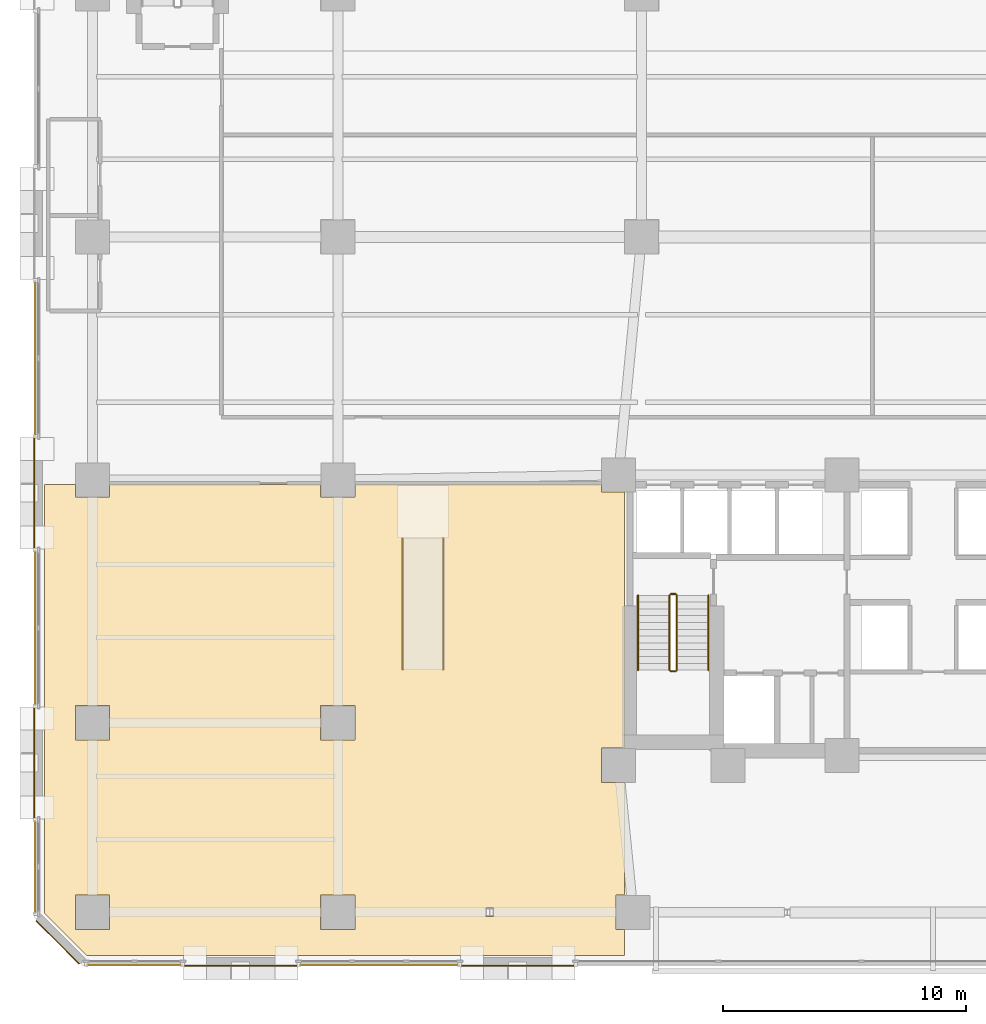
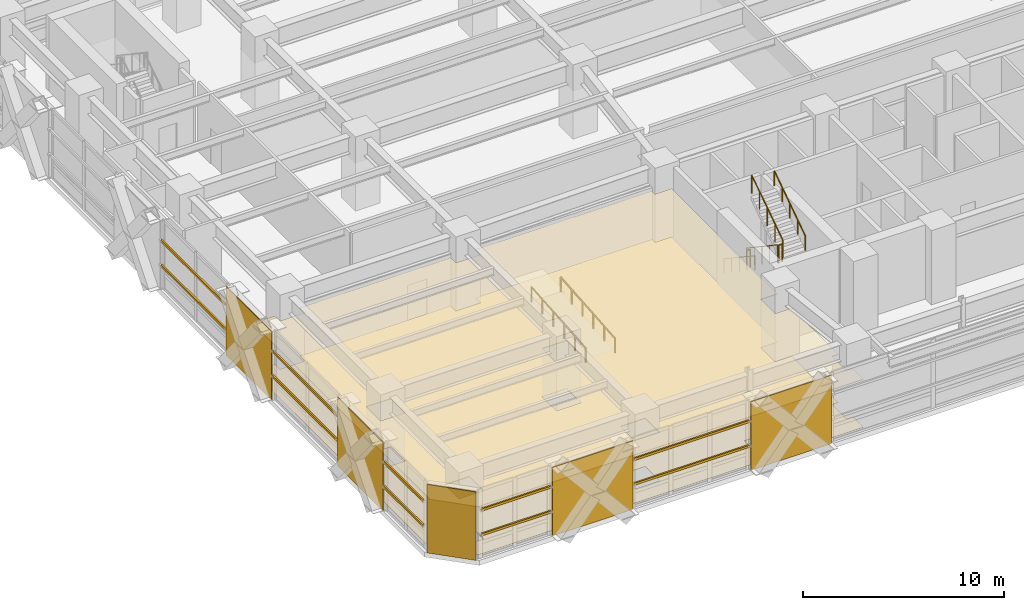
# One storey, part 24 of 30: 10 shading devices, 8 railings, 7 coverings.
"""IFC4 building model written with IfcOpenShell, lengths in metres."""

from ifc_helpers import new_model, si_unit, direction, frame, origin, origin_2d, place, context, subcontext, project, spatial, polyline, rectangle, circle, outline, extrude, material, layer, layer_set, material_profile, profile_set, type_object, element, save


model = new_model("IFC4")

# Units and contexts
model_context = context("Model", 3, precision=1e-05, world=origin(), true_north=direction((0.0, 1.0)))
body_context = subcontext(model_context, "Body", "Model", "MODEL_VIEW")
ifc_project = project(units=[si_unit("LENGTHUNIT", "METRE"), si_unit("AREAUNIT", "SQUARE_METRE"), si_unit("VOLUMEUNIT", "CUBIC_METRE"), si_unit("PLANEANGLEUNIT", "RADIAN"), si_unit("MASSUNIT", "GRAM", prefix="KILO")], contexts=[model_context])

# Site, building, storey
site_placement = place(None, origin())
site = spatial("IfcSite", under=ifc_project, at=site_placement, CompositionType="ELEMENT")
building_placement = place(site_placement, origin())
building = spatial("IfcBuilding", under=site, at=building_placement, Name="Quenlor Broadcast Tower", CompositionType="ELEMENT")
storey_placement = place(building_placement, frame((0.0, 0.0, 9.5)))
storey = spatial("IfcBuildingStorey", under=building, at=storey_placement, Name="L02", CompositionType="ELEMENT", Elevation=9.5)

# Covering
ifc_material_1 = material(Name="Acoustic Gypsum Board", Category="other")
ifc_layer_1 = layer(ifc_material_1, 0.0400390625)
ifc_layer_set_1 = layer_set([ifc_layer_1], Name="Broadcast Studio Spring Isolated Ceiling 40")
covering_type_1 = type_object("IfcCoveringType", Name="Broadcast Studio Spring Isolated Ceiling 40", PredefinedType="CEILING", material=ifc_layer_set_1)
covering_1_placement = place(storey_placement, frame((0.0, 0.0, 2.909912109375)))
element("IfcCovering", 1, at=covering_1_placement, inside=storey, type_object=covering_type_1, Name="L02 Acoustic Ceiling L02-31", PredefinedType="CEILING", context=body_context, shape_type="SweptSolid", body=[
    extrude(outline(polyline([(-36.580078125, -5.199951171875), (-35.30810546875, -5.199951171875), (-35.30810546875, -5.7080078125), (-33.89208984375, -5.7080078125), (-33.89208984375, -5.199951171875), (-25.2080078125, -5.199951171875), (-25.2080078125, -5.7080078125), (-23.7919921875, -5.7080078125), (-23.7919921875, -5.199951171875), (-13.657958984375, -5.199951171875), (-13.657958984375, -5.508056640625), (-12.699951171875, -5.508056640625), (-12.699951171875, -16.0419921875), (-13.657958984375, -16.0419921875), (-13.657958984375, -17.4580078125), (-12.699951171875, -17.4580078125), (-12.699951171875, -22.092041015625), (-13.05810546875, -22.092041015625), (-13.05810546875, -23.508056640625), (-12.699951171875, -23.508056640625), (-12.699951171875, -24.580078125), (-34.825927734375, -24.580078125), (-36.580078125, -22.825927734375), (-36.580078125, -5.199951171875)]), holes=[polyline([(-23.7919921875, -22.092041015625), (-25.2080078125, -22.092041015625), (-25.2080078125, -23.508056640625), (-23.7919921875, -23.508056640625), (-23.7919921875, -22.092041015625)]), polyline([(-18.08642578125, -22.9716796875), (-18.08642578125, -22.62841796875), (-18.41357421875, -22.62841796875), (-18.41357421875, -22.9716796875), (-18.08642578125, -22.9716796875)]), polyline([(-33.89208984375, -22.092041015625), (-35.30810546875, -22.092041015625), (-35.30810546875, -23.508056640625), (-33.89208984375, -23.508056640625), (-33.89208984375, -22.092041015625)]), polyline([(-33.89208984375, -15.7080078125), (-33.89208984375, -14.2919921875), (-35.30810546875, -14.2919921875), (-35.30810546875, -15.7080078125), (-33.89208984375, -15.7080078125)]), polyline([(-23.7919921875, -14.2919921875), (-25.2080078125, -14.2919921875), (-25.2080078125, -15.7080078125), (-23.7919921875, -15.7080078125), (-23.7919921875, -14.2919921875)])]), origin(), (0.0, 0.0, 1.0), 0.0400390625),
])

# Shading devices
ifc_material_2 = material(Name="Architectural Terracotta Ceramic", Category="masonry")
ifc_material_profile = material_profile(ifc_material_2, rectangle(XDim=0.090087890625, YDim=0.139892578125, at=origin_2d()))
ifc_profile_set = profile_set([ifc_material_profile], Name="Architectural Terracotta Ceramic BAG90x140")
shading_device_type = type_object("IfcShadingDeviceType", Name="Copper Terracotta Baguette Solar Screen 140", PredefinedType="USERDEFINED", material=ifc_profile_set)
for number, where, z_axis, x_axis, name in (
    (2, (-19.490478515625, -24.972900390625, 1.511962890625), (-1.0, 0.0, 0.0), (0.0, -1.0, 0.0), "L02 Terracotta Baguette Screen 1"),
    (3, (-19.490478515625, -24.972900390625, 3.02392578125), (-1.0, 0.0, 0.0), (0.0, -1.0, 0.0), "L02 Terracotta Baguette Screen 2"),
):
    element("IfcShadingDevice", number, at=place(storey_placement, frame(where, z_axis=z_axis, x_axis=x_axis)), inside=storey, type_object=shading_device_type, Name=name, ObjectType="BAGUETTE", PredefinedType="USERDEFINED", context=body_context, shape_type="SweptSolid", body=[
        extrude(rectangle(XDim=0.090087890625, YDim=0.139892578125, at=origin_2d()), origin(), (0.0, 0.0, 1.0), 6.619140625),
    ])
for number, where, z_axis, x_axis, name in (
    (4, (-30.890380859375, -24.972900390625, 1.511962890625), (-1.0, 0.0, 0.0), (0.0, -1.0, 0.0), "L02 Terracotta Baguette Screen 1"),
    (5, (-30.890380859375, -24.972900390625, 3.02392578125), (-1.0, 0.0, 0.0), (0.0, -1.0, 0.0), "L02 Terracotta Baguette Screen 2"),
):
    element("IfcShadingDevice", number, at=place(storey_placement, frame(where, z_axis=z_axis, x_axis=x_axis)), inside=storey, type_object=shading_device_type, Name=name, ObjectType="BAGUETTE", PredefinedType="USERDEFINED", context=body_context, shape_type="SweptSolid", body=[
        extrude(rectangle(XDim=0.090087890625, YDim=0.139892578125, at=origin_2d()), origin(), (0.0, 0.0, 1.0), 3.968505859375),
    ])
for number, where, z_axis, x_axis, name in (
    (6, (-36.972900390625, -22.85888671875, 1.511962890625), (0.0, 1.0, 0.0), (-1.0, 0.0, 0.0), "L02 Terracotta Baguette Screen 1"),
    (7, (-36.972900390625, -22.85888671875, 3.02392578125), (0.0, 1.0, 0.0), (-1.0, 0.0, 0.0), "L02 Terracotta Baguette Screen 2"),
):
    element("IfcShadingDevice", number, at=place(storey_placement, frame(where, z_axis=z_axis, x_axis=x_axis)), inside=storey, type_object=shading_device_type, Name=name, ObjectType="BAGUETTE", PredefinedType="USERDEFINED", context=body_context, shape_type="SweptSolid", body=[
        extrude(rectangle(XDim=0.090087890625, YDim=0.139892578125, at=origin_2d()), origin(), (0.0, 0.0, 1.0), 3.865234375),
    ])
for number, where, z_axis, x_axis, name in (
    (8, (-36.972900390625, -14.306396484375, 1.511962890625), (0.0, 1.0, 0.0), (-1.0, 0.0, 0.0), "L02 Terracotta Baguette Screen 1"),
    (9, (-36.972900390625, -14.306396484375, 3.02392578125), (0.0, 1.0, 0.0), (-1.0, 0.0, 0.0), "L02 Terracotta Baguette Screen 2"),
    (10, (-36.972900390625, -3.206298828125, 1.511962890625), (0.0, 1.0, 0.0), (-1.0, 0.0, 0.0), "L02 Terracotta Baguette Screen 1"),
    (11, (-36.972900390625, -3.206298828125, 3.02392578125), (0.0, 1.0, 0.0), (-1.0, 0.0, 0.0), "L02 Terracotta Baguette Screen 2"),
):
    element("IfcShadingDevice", number, at=place(storey_placement, frame(where, z_axis=z_axis, x_axis=x_axis)), inside=storey, type_object=shading_device_type, Name=name, ObjectType="BAGUETTE", PredefinedType="USERDEFINED", context=body_context, shape_type="SweptSolid", body=[
        extrude(rectangle(XDim=0.090087890625, YDim=0.139892578125, at=origin_2d()), origin(), (0.0, 0.0, 1.0), 6.41259765625),
    ])

# Coverings
ifc_material_3 = material(Name="Architectural Terracotta Ceramic", Category="masonry")
ifc_layer_2 = layer(ifc_material_3, 0.044921875)
ifc_layer_set_2 = layer_set([ifc_layer_2], Name="Fluted Terracotta Rainscreen Cladding Panel")
covering_type_2 = type_object("IfcCoveringType", Name="Fluted Terracotta Rainscreen Cladding Panel", PredefinedType="CLADDING", material=ifc_layer_set_2)
covering_2_placement = place(storey_placement, frame((0.0, 0.0, 0.02001953125)))
element("IfcCovering", 12, at=covering_2_placement, inside=storey, type_object=covering_type_2, Name="L02 Terracotta Rainscreen Cladding L02-S-FULL-SP3", PredefinedType="CLADDING", context=body_context, shape_type="SweptSolid", body=[
    extrude(outline(polyline([(-14.780517578125, -24.971923828125), (-19.41943359375, -24.971923828125), (-19.41943359375, -25.01708984375), (-14.780517578125, -25.01708984375), (-14.780517578125, -24.971923828125)])), origin(), (0.0, 0.0, 1.0), 4.159912109375),
])
covering_3_placement = place(storey_placement, frame((0.0, 0.0, 0.02001953125)))
element("IfcCovering", 13, at=covering_3_placement, inside=storey, type_object=covering_type_2, Name="L02 Terracotta Rainscreen Cladding L02-S-FULL-SP4", PredefinedType="CLADDING", context=body_context, shape_type="SweptSolid", body=[
    extrude(outline(polyline([(-26.180419921875, -24.971923828125), (-30.819580078125, -24.971923828125), (-30.819580078125, -25.01708984375), (-26.180419921875, -25.01708984375), (-26.180419921875, -24.971923828125)])), origin(), (0.0, 0.0, 1.0), 4.159912109375),
])
covering_4_placement = place(storey_placement, frame((0.0, 0.0, 0.02001953125)))
element("IfcCovering", 14, at=covering_4_placement, inside=storey, type_object=covering_type_2, Name="L02 Terracotta Rainscreen Cladding L02-W-FULL-SP1", PredefinedType="CLADDING", context=body_context, shape_type="SweptSolid", body=[
    extrude(outline(polyline([(-36.971923828125, -18.922607421875), (-36.971923828125, -14.377197265625), (-37.01708984375, -14.377197265625), (-37.01708984375, -18.922607421875), (-36.971923828125, -18.922607421875)])), origin(), (0.0, 0.0, 1.0), 4.159912109375),
])
covering_5_placement = place(storey_placement, frame((0.0, 0.0, 0.02001953125)))
element("IfcCovering", 15, at=covering_5_placement, inside=storey, type_object=covering_type_2, Name="L02 Terracotta Rainscreen Cladding L02-W-FULL-SP2", PredefinedType="CLADDING", context=body_context, shape_type="SweptSolid", body=[
    extrude(outline(polyline([(-36.971923828125, -7.82275390625), (-36.971923828125, -3.27734375), (-37.01708984375, -3.27734375), (-37.01708984375, -7.82275390625), (-36.971923828125, -7.82275390625)])), origin(), (0.0, 0.0, 1.0), 4.159912109375),
])
covering_6_placement = place(storey_placement, frame((0.0, 0.0, 0.02001953125)))
element("IfcCovering", 16, at=covering_6_placement, inside=storey, type_object=covering_type_2, Name="L02 Terracotta Rainscreen Cladding L02-EW-CSW", PredefinedType="CLADDING", context=body_context, shape_type="SweptSolid", body=[
    extrude(outline(polyline([(-35.128662109375, -24.90625), (-36.90625, -23.128662109375), (-36.93798828125, -23.160400390625), (-35.160400390625, -24.93798828125), (-35.128662109375, -24.90625)])), origin(), (0.0, 0.0, 1.0), 4.159912109375),
])
ifc_material_4 = material(Name="Terrazzo Stone Finish", Category="masonry")
ifc_layer_3 = layer(ifc_material_4, 0.02001953125)
ifc_layer_set_3 = layer_set([ifc_layer_3], Name="Polished Sandstone Terrazzo Flooring 20")
covering_type_3 = type_object("IfcCoveringType", Name="Polished Sandstone Terrazzo Flooring 20", PredefinedType="FLOORING", material=ifc_layer_set_3)
covering_7_placement = place(storey_placement, origin())
element("IfcCovering", 17, at=covering_7_placement, inside=storey, type_object=covering_type_3, Name="L02 Terrazzo Flooring L02-31", PredefinedType="FLOORING", context=body_context, shape_type="SweptSolid", body=[
    extrude(outline(polyline([(-36.580078125, -5.199951171875), (-35.30810546875, -5.199951171875), (-35.30810546875, -5.7080078125), (-33.89208984375, -5.7080078125), (-33.89208984375, -5.199951171875), (-25.2080078125, -5.199951171875), (-25.2080078125, -5.7080078125), (-23.7919921875, -5.7080078125), (-23.7919921875, -5.199951171875), (-13.657958984375, -5.199951171875), (-13.657958984375, -5.508056640625), (-12.699951171875, -5.508056640625), (-12.699951171875, -16.0419921875), (-13.657958984375, -16.0419921875), (-13.657958984375, -17.4580078125), (-12.699951171875, -17.4580078125), (-12.699951171875, -22.092041015625), (-13.05810546875, -22.092041015625), (-13.05810546875, -23.508056640625), (-12.699951171875, -23.508056640625), (-12.699951171875, -24.580078125), (-34.825927734375, -24.580078125), (-36.580078125, -22.825927734375), (-36.580078125, -5.199951171875)]), holes=[polyline([(-23.7919921875, -22.092041015625), (-25.2080078125, -22.092041015625), (-25.2080078125, -23.508056640625), (-23.7919921875, -23.508056640625), (-23.7919921875, -22.092041015625)]), polyline([(-18.08642578125, -22.9716796875), (-18.08642578125, -22.62841796875), (-18.41357421875, -22.62841796875), (-18.41357421875, -22.9716796875), (-18.08642578125, -22.9716796875)]), polyline([(-33.89208984375, -22.092041015625), (-35.30810546875, -22.092041015625), (-35.30810546875, -23.508056640625), (-33.89208984375, -23.508056640625), (-33.89208984375, -22.092041015625)]), polyline([(-33.89208984375, -15.7080078125), (-33.89208984375, -14.2919921875), (-35.30810546875, -14.2919921875), (-35.30810546875, -15.7080078125), (-33.89208984375, -15.7080078125)]), polyline([(-23.7919921875, -14.2919921875), (-25.2080078125, -14.2919921875), (-25.2080078125, -15.7080078125), (-23.7919921875, -15.7080078125), (-23.7919921875, -14.2919921875)])]), origin(), (0.0, 0.0, 1.0), 0.02001953125),
])

# Railings
ifc_material_5 = material(Name="Anodised Aluminium", Category="aluminium")
railing_type_1 = type_object("IfcRailingType", Name="Stainless Aluminium Wall Handrail 900", PredefinedType="HANDRAIL", material=ifc_material_5)
railing_1_placement = place(storey_placement, frame((-12.14990234375, -9.75, 0.1875)))
element("IfcRailing", 18, at=railing_1_placement, inside=storey, type_object=railing_type_1, Name="L02 ST-1 stair handrail 1", PredefinedType="HANDRAIL", context=body_context, shape_type="SweptSolid", body=[
    extrude(circle(Radius=0.02392578125, at=origin_2d()), frame((0.0, 0.0, 0.8759765625), z_axis=(0.0, -0.830913701846, 0.55640131208), x_axis=(1.0, 0.0, 0.0)), (0.0, 0.0, 1.0), 3.706787109375),
    extrude(circle(Radius=0.02099609375, at=origin_2d()), origin(), (0.0, 0.0, 1.0), 0.851806640625),
    extrude(circle(Radius=0.02099609375, at=origin_2d()), frame((0.0, -0.77001953125, 0.515625)), (0.0, 0.0, 1.0), 0.851806640625),
    extrude(circle(Radius=0.02099609375, at=origin_2d()), frame((0.0, -1.5400390625, 1.03125)), (0.0, 0.0, 1.0), 0.851806640625),
    extrude(circle(Radius=0.02099609375, at=origin_2d()), frame((0.0, -2.31005859375, 1.546875)), (0.0, 0.0, 1.0), 0.851806640625),
    extrude(circle(Radius=0.02099609375, at=origin_2d()), frame((0.0, -3.080078125, 2.0625)), (0.0, 0.0, 1.0), 0.851806640625),
])
railing_2_placement = place(storey_placement, frame((-9.25, -12.830078125, 2.4375)))
element("IfcRailing", 19, at=railing_2_placement, inside=storey, type_object=railing_type_1, Name="L02 ST-1 stair handrail 2", PredefinedType="HANDRAIL", context=body_context, shape_type="SweptSolid", body=[
    extrude(circle(Radius=0.02392578125, at=origin_2d()), frame((0.0, 0.0, 0.8759765625), z_axis=(0.0, 0.830913701846, 0.55640131208), x_axis=(-1.0, 0.0, 0.0)), (0.0, 0.0, 1.0), 3.706787109375),
    extrude(circle(Radius=0.02099609375, at=origin_2d()), origin(), (0.0, 0.0, 1.0), 0.851806640625),
    extrude(circle(Radius=0.02099609375, at=origin_2d()), frame((0.0, 0.77001953125, 0.515625)), (0.0, 0.0, 1.0), 0.851806640625),
    extrude(circle(Radius=0.02099609375, at=origin_2d()), frame((0.0, 1.5400390625, 1.03125)), (0.0, 0.0, 1.0), 0.851806640625),
    extrude(circle(Radius=0.02099609375, at=origin_2d()), frame((0.0, 2.31005859375, 1.546875)), (0.0, 0.0, 1.0), 0.851806640625),
    extrude(circle(Radius=0.02099609375, at=origin_2d()), frame((0.0, 3.080078125, 2.0625)), (0.0, 0.0, 1.0), 0.851806640625),
])
for number, where, name in (
    (20, (-21.840087890625, -12.800048828125, 0.0), "L02 Accessible Ramp Handrail 1L"),
    (21, (-20.159912109375, -12.800048828125, 0.0), "L02 Accessible Ramp Handrail 1R"),
):
    element("IfcRailing", number, at=place(storey_placement, frame(where)), inside=storey, type_object=railing_type_1, Name=name, PredefinedType="HANDRAIL", context=body_context, shape_type="SweptSolid", body=[
        extrude(circle(Radius=0.02392578125, at=origin_2d()), frame((0.0, 0.0, 0.8759765625), z_axis=(0.0, 0.996546690331, 0.083034294059), x_axis=(-1.0, 0.0, 0.0)), (0.0, 0.0, 1.0), 5.4189453125),
        extrude(circle(Radius=0.02099609375, at=origin_2d()), origin(), (0.0, 0.0, 1.0), 0.851806640625),
        extrude(circle(Radius=0.02099609375, at=origin_2d()), frame((0.0, 1.080078125, 0.090087890625)), (0.0, 0.0, 1.0), 0.851806640625),
        extrude(circle(Radius=0.02099609375, at=origin_2d()), frame((0.0, 2.16015625, 0.179931640625)), (0.0, 0.0, 1.0), 0.851806640625),
        extrude(circle(Radius=0.02099609375, at=origin_2d()), frame((0.0, 3.239990234375, 0.27001953125)), (0.0, 0.0, 1.0), 0.851806640625),
        extrude(circle(Radius=0.02099609375, at=origin_2d()), frame((0.0, 4.320068359375, 0.35986328125)), (0.0, 0.0, 1.0), 0.851806640625),
        extrude(circle(Radius=0.02099609375, at=origin_2d()), frame((0.0, 5.400146484375, 0.449951171875)), (0.0, 0.0, 1.0), 0.851806640625),
    ])
ifc_material_6 = material(Name="Steel S355", Category="steel")
railing_type_2 = type_object("IfcRailingType", Name="Tubular Steel S355 Stair Guardrail 1100", PredefinedType="BALUSTRADE", material=ifc_material_6)
railing_3_placement = place(storey_placement, frame((-10.85009765625, -9.75, 0.1875)))
element("IfcRailing", 22, at=railing_3_placement, inside=storey, type_object=railing_type_2, Name="L02 ST-1 stair guard 1", PredefinedType="BALUSTRADE", context=body_context, shape_type="SweptSolid", body=[
    extrude(circle(Radius=0.02392578125, at=origin_2d()), frame((0.0, 0.0, 1.076171875), z_axis=(0.0, -0.830913701846, 0.55640131208), x_axis=(1.0, 0.0, 0.0)), (0.0, 0.0, 1.0), 3.706787109375),
    extrude(circle(Radius=0.02099609375, at=origin_2d()), origin(), (0.0, 0.0, 1.0), 1.052001953125),
    extrude(circle(Radius=0.02099609375, at=origin_2d()), frame((0.0, -0.77001953125, 0.515625)), (0.0, 0.0, 1.0), 1.052001953125),
    extrude(circle(Radius=0.02099609375, at=origin_2d()), frame((0.0, -1.5400390625, 1.03125)), (0.0, 0.0, 1.0), 1.052001953125),
    extrude(circle(Radius=0.02099609375, at=origin_2d()), frame((0.0, -2.31005859375, 1.546875)), (0.0, 0.0, 1.0), 1.052001953125),
    extrude(circle(Radius=0.02099609375, at=origin_2d()), frame((0.0, -3.080078125, 2.0625)), (0.0, 0.0, 1.0), 1.052001953125),
])
railing_4_placement = place(storey_placement, frame((-10.800048828125, -12.8798828125, 2.25)))
element("IfcRailing", 23, at=railing_4_placement, inside=storey, type_object=railing_type_2, Name="L02 ST-1 stair guard 2", PredefinedType="BALUSTRADE", context=body_context, shape_type="SweptSolid", body=[
    extrude(circle(Radius=0.02392578125, at=origin_2d()), frame((0.0, 0.0, 1.076171875), z_axis=(1.0, 0.0, 0.0), x_axis=(0.0, 1.0, 0.0)), (0.0, 0.0, 1.0), 0.199951171875),
    extrude(circle(Radius=0.02099609375, at=origin_2d()), origin(), (0.0, 0.0, 1.0), 1.052001953125),
    extrude(circle(Radius=0.02099609375, at=origin_2d()), frame((0.199951171875, 0.0, 0.0)), (0.0, 0.0, 1.0), 1.052001953125),
])
railing_5_placement = place(storey_placement, frame((-10.550048828125, -12.830078125, 2.4375)))
element("IfcRailing", 24, at=railing_5_placement, inside=storey, type_object=railing_type_2, Name="L02 ST-1 stair guard 3", PredefinedType="BALUSTRADE", context=body_context, shape_type="SweptSolid", body=[
    extrude(circle(Radius=0.02392578125, at=origin_2d()), frame((0.0, 0.0, 1.076171875), z_axis=(0.0, 0.830913701846, 0.55640131208), x_axis=(-1.0, 0.0, 0.0)), (0.0, 0.0, 1.0), 3.706787109375),
    extrude(circle(Radius=0.02099609375, at=origin_2d()), origin(), (0.0, 0.0, 1.0), 1.052001953125),
    extrude(circle(Radius=0.02099609375, at=origin_2d()), frame((0.0, 0.77001953125, 0.515625)), (0.0, 0.0, 1.0), 1.052001953125),
    extrude(circle(Radius=0.02099609375, at=origin_2d()), frame((0.0, 1.5400390625, 1.03125)), (0.0, 0.0, 1.0), 1.052001953125),
    extrude(circle(Radius=0.02099609375, at=origin_2d()), frame((0.0, 2.31005859375, 1.546875)), (0.0, 0.0, 1.0), 1.052001953125),
    extrude(circle(Radius=0.02099609375, at=origin_2d()), frame((0.0, 3.080078125, 2.0625)), (0.0, 0.0, 1.0), 1.052001953125),
])
railing_6_placement = place(storey_placement, frame((-10.800048828125, -9.699951171875, 0.0)))
element("IfcRailing", 25, at=railing_6_placement, inside=storey, type_object=railing_type_2, Name="L02 ST-1 stair guard 4", PredefinedType="BALUSTRADE", context=body_context, shape_type="SweptSolid", body=[
    extrude(circle(Radius=0.02392578125, at=origin_2d()), frame((0.0, 0.0, 1.076171875), z_axis=(1.0, 0.0, 0.0), x_axis=(0.0, 1.0, 0.0)), (0.0, 0.0, 1.0), 0.199951171875),
    extrude(circle(Radius=0.02099609375, at=origin_2d()), origin(), (0.0, 0.0, 1.0), 1.052001953125),
    extrude(circle(Radius=0.02099609375, at=origin_2d()), frame((0.199951171875, 0.0, 0.0)), (0.0, 0.0, 1.0), 1.052001953125),
])

save(model, "model.ifc")
